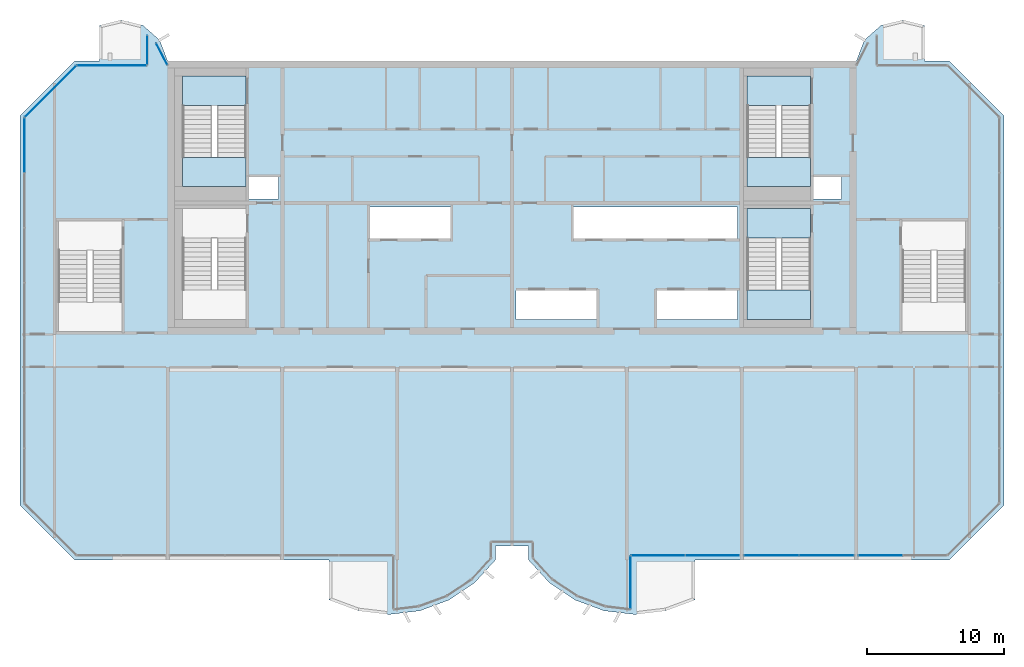
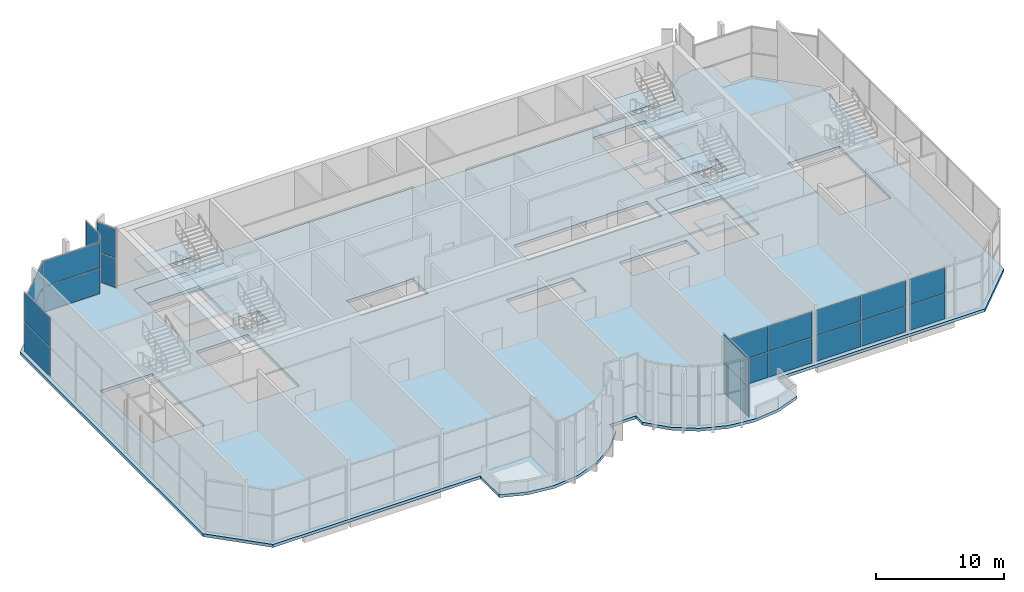
# One storey, part 11 of 17: 22 plates, 12 slabs, 12 elements without a shape of their own.
"""IFC4 building model written with IfcOpenShell, lengths in metres."""

from ifc_helpers import new_model, si_unit, direction, frame, origin, origin_2d, place, context, subcontext, project, spatial, polyline, rectangle, outline, extrude, source, transform, mapped, material, layer, layer_set, type_object, element, aggregate, save


model = new_model("IFC4")

# Units and contexts
model_context = context("Model", 3, precision=1e-05, world=origin(), true_north=direction((0.0, 1.0)))
body_context = subcontext(model_context, "Body", "Model", "MODEL_VIEW")
ifc_project = project(units=[si_unit("LENGTHUNIT", "METRE"), si_unit("AREAUNIT", "SQUARE_METRE"), si_unit("VOLUMEUNIT", "CUBIC_METRE"), si_unit("PLANEANGLEUNIT", "RADIAN"), si_unit("MASSUNIT", "GRAM", prefix="KILO")], contexts=[model_context])

# Site, building, storey
site_placement = place(None, origin())
site = spatial("IfcSite", under=ifc_project, at=site_placement, CompositionType="ELEMENT")
building_placement = place(site_placement, origin())
building = spatial("IfcBuilding", under=site, at=building_placement, Name="Vanashikhar Sky Hotel", CompositionType="ELEMENT")
storey_placement = place(building_placement, frame((0.0, 0.0, 323.699951171875)))
storey = spatial("IfcBuildingStorey", under=building, at=storey_placement, Name="L77", CompositionType="ELEMENT", Elevation=323.699951171875)

# Slab
ifc_material_1 = material(Name="Concrete M40", Category="concrete")
ifc_layer_1 = layer(ifc_material_1, 0.280029296875)
ifc_layer_set_1 = layer_set([ifc_layer_1], Name="Floor slab 280 mm")
slab_type_1 = type_object("IfcSlabType", Name="Floor slab 280 mm", PredefinedType="FLOOR", material=ifc_layer_set_1)
shared_shape_1 = source(origin(), body_context, "Body", "SweptSolid", [
    extrude(outline(polyline([(14.39990234375, 9.5), (14.39990234375, 9.5), (14.39990234375, 38.0), (14.39990234375, 38.0), (14.400146484375, 38.0), (18.39990234375, 42.0), (18.39990234375, 42.0), (18.400146484375, 42.0), (20.2109375, 42.0), (20.211181640625, 42.0), (20.211669921875, 42.0), (20.2119140625, 42.0), (20.212158203125, 42.000244140625), (20.21240234375, 42.00048828125), (20.212646484375, 42.00048828125), (20.212890625, 42.000732421875), (20.213134765625, 42.0009765625), (20.21337890625, 42.001220703125), (20.21337890625, 42.001220703125), (20.213623046875, 42.001708984375), (20.2138671875, 42.001953125), (20.2138671875, 42.002197265625), (20.2138671875, 42.00244140625), (20.214111328125, 42.002685546875), (20.214111328125, 42.0029296875), (20.214111328125, 44.60791015625), (20.214111328125, 44.60791015625), (20.214111328125, 44.60791015625), (21.7998046875, 44.998046875), (21.800048828125, 44.998046875), (21.800048828125, 44.998046875), (23.384521484375, 44.6083984375), (23.385009765625, 44.6083984375), (23.385009765625, 44.6083984375), (23.385498046875, 44.6083984375), (23.3857421875, 44.6083984375), (23.385986328125, 44.6083984375), (23.38623046875, 44.6083984375), (23.38671875, 44.608642578125), (23.38671875, 44.608642578125), (23.38720703125, 44.60888671875), (23.38720703125, 44.60888671875), (23.387451171875, 44.609130859375), (23.3876953125, 44.609619140625), (23.3876953125, 44.609619140625), (23.387939453125, 44.610107421875), (23.387939453125, 44.610107421875), (23.38818359375, 44.610107421875), (24.614990234375, 43.527099609375), (24.614990234375, 43.527099609375), (24.614990234375, 43.52685546875), (25.19921875, 42.001953125), (25.199462890625, 42.001708984375), (25.199462890625, 42.00146484375), (25.19970703125, 42.001220703125), (25.199951171875, 42.0009765625), (25.2001953125, 42.000732421875), (25.200439453125, 42.00048828125), (25.20068359375, 42.00048828125), (25.200927734375, 42.000244140625), (25.201171875, 42.0), (25.201416015625, 42.0), (25.201904296875, 42.0), (25.2021484375, 42.0), (75.597900390625, 42.0), (75.59814453125, 42.0), (75.598388671875, 42.0), (75.598876953125, 42.0), (75.59912109375, 42.000244140625), (75.599365234375, 42.00048828125), (75.599609375, 42.00048828125), (75.599853515625, 42.000732421875), (75.60009765625, 42.0009765625), (75.600341796875, 42.001220703125), (75.6005859375, 42.00146484375), (75.6005859375, 42.001708984375), (75.6005859375, 42.001953125), (76.18505859375, 43.52685546875), (76.18505859375, 43.527099609375), (76.18505859375, 43.527099609375), (77.411865234375, 44.610107421875), (77.412109375, 44.610107421875), (77.412109375, 44.610107421875), (77.412109375, 44.609619140625), (77.412353515625, 44.609619140625), (77.41259765625, 44.609130859375), (77.41259765625, 44.60888671875), (77.412841796875, 44.60888671875), (77.4130859375, 44.608642578125), (77.413330078125, 44.608642578125), (77.413818359375, 44.6083984375), (77.4140625, 44.6083984375), (77.414306640625, 44.6083984375), (77.41455078125, 44.6083984375), (77.414794921875, 44.6083984375), (77.4150390625, 44.6083984375), (77.415283203125, 44.6083984375), (79.0, 44.998046875), (79.0, 44.998046875), (79.0, 44.998046875), (80.5859375, 44.60791015625), (80.5859375, 44.60791015625), (80.5859375, 44.60791015625), (80.5859375, 42.0029296875), (80.5859375, 42.002685546875), (80.586181640625, 42.00244140625), (80.586181640625, 42.002197265625), (80.586181640625, 42.001953125), (80.58642578125, 42.001708984375), (80.58642578125, 42.001220703125), (80.586669921875, 42.001220703125), (80.5869140625, 42.0009765625), (80.587158203125, 42.000732421875), (80.58740234375, 42.00048828125), (80.587646484375, 42.00048828125), (80.587890625, 42.000244140625), (80.588134765625, 42.0), (80.58837890625, 42.0), (80.588623046875, 42.0), (80.589111328125, 42.0), (82.39990234375, 42.0), (82.39990234375, 42.0), (82.400146484375, 42.0), (86.39990234375, 38.0), (86.39990234375, 38.0), (86.39990234375, 38.0), (86.39990234375, 9.5), (86.39990234375, 9.5), (86.39990234375, 9.5), (82.400146484375, 5.5), (82.39990234375, 5.5), (82.39990234375, 5.5), (63.783935546875, 5.5), (63.78369140625, 5.5), (63.783447265625, 5.5), (63.783203125, 5.5), (63.782958984375, 5.499755859375), (63.78271484375, 5.49951171875), (63.7822265625, 5.49951171875), (63.781982421875, 5.499267578125), (63.781982421875, 5.4990234375), (63.78173828125, 5.498779296875), (63.781494140625, 5.498779296875), (63.781494140625, 5.498291015625), (63.78125, 5.498046875), (63.781005859375, 5.497802734375), (63.781005859375, 5.49755859375), (63.781005859375, 5.497314453125), (63.781005859375, 5.4970703125), (63.781005859375, 2.55908203125), (63.781005859375, 2.55908203125), (63.781005859375, 2.55908203125), (61.654052734375, 1.77001953125), (61.654052734375, 1.77001953125), (61.65380859375, 1.77001953125), (59.402587890625, 1.502197265625), (59.402099609375, 1.501953125), (59.40185546875, 1.501953125), (59.401611328125, 1.501708984375), (59.4013671875, 1.501708984375), (59.401123046875, 1.50146484375), (59.40087890625, 1.501220703125), (59.400634765625, 1.501220703125), (59.400390625, 1.5009765625), (59.400390625, 1.50048828125), (59.400146484375, 1.50048828125), (59.39990234375, 1.5), (59.39990234375, 1.5), (59.39990234375, 1.5), (57.14599609375, 1.76806640625), (57.14599609375, 1.76806640625), (57.14599609375, 1.76806640625), (55.01708984375, 2.55810546875), (55.01708984375, 2.55810546875), (55.016845703125, 2.55810546875), (53.133056640625, 3.825927734375), (53.133056640625, 3.825927734375), (53.1328125, 3.826171875), (51.60009765625, 5.5), (51.60009765625, 5.5), (51.60009765625, 5.5), (51.60009765625, 6.4970703125), (51.60009765625, 6.497314453125), (51.599853515625, 6.49755859375), (51.599853515625, 6.497802734375), (51.599853515625, 6.498046875), (51.599609375, 6.498291015625), (51.599609375, 6.498779296875), (51.599365234375, 6.498779296875), (51.59912109375, 6.4990234375), (51.598876953125, 6.499267578125), (51.5986328125, 6.49951171875), (51.598388671875, 6.49951171875), (51.59814453125, 6.499755859375), (51.597900390625, 6.5), (51.59765625, 6.5), (51.597412109375, 6.5), (51.596923828125, 6.5), (49.202880859375, 6.5), (49.20263671875, 6.5), (49.202392578125, 6.5), (49.2021484375, 6.5), (49.201904296875, 6.499755859375), (49.20166015625, 6.49951171875), (49.201416015625, 6.49951171875), (49.201171875, 6.499267578125), (49.200927734375, 6.4990234375), (49.20068359375, 6.498779296875), (49.200439453125, 6.498779296875), (49.200439453125, 6.498291015625), (49.2001953125, 6.498046875), (49.2001953125, 6.497802734375), (49.2001953125, 6.49755859375), (49.199951171875, 6.497314453125), (49.199951171875, 6.4970703125), (49.199951171875, 5.5), (49.199951171875, 5.5), (49.199951171875, 5.5), (47.6669921875, 3.826171875), (47.6669921875, 3.825927734375), (47.6669921875, 3.825927734375), (45.783203125, 2.55810546875), (45.782958984375, 2.55810546875), (45.782958984375, 2.55810546875), (43.654052734375, 1.76806640625), (43.654052734375, 1.76806640625), (43.65380859375, 1.76806640625), (41.400146484375, 1.5), (41.39990234375, 1.5), (41.39990234375, 1.5), (41.39990234375, 1.50048828125), (41.399658203125, 1.50048828125), (41.3994140625, 1.5009765625), (41.3994140625, 1.501220703125), (41.399169921875, 1.501220703125), (41.39892578125, 1.50146484375), (41.398681640625, 1.501708984375), (41.3984375, 1.501708984375), (41.398193359375, 1.501953125), (41.397705078125, 1.501953125), (41.3974609375, 1.502197265625), (39.14599609375, 1.77001953125), (39.14599609375, 1.77001953125), (39.14599609375, 1.77001953125), (37.01904296875, 2.55908203125), (37.01904296875, 2.55908203125), (37.01904296875, 2.55908203125), (37.01904296875, 5.4970703125), (37.01904296875, 5.497314453125), (37.018798828125, 5.49755859375), (37.018798828125, 5.497802734375), (37.018798828125, 5.498046875), (37.0185546875, 5.498291015625), (37.0185546875, 5.498779296875), (37.018310546875, 5.498779296875), (37.01806640625, 5.4990234375), (37.017822265625, 5.499267578125), (37.017578125, 5.49951171875), (37.017333984375, 5.49951171875), (37.01708984375, 5.499755859375), (37.016845703125, 5.5), (37.0166015625, 5.5), (37.016357421875, 5.5), (37.01611328125, 5.5), (18.400146484375, 5.5), (18.39990234375, 5.5), (18.39990234375, 5.5), (14.400146484375, 9.5), (14.39990234375, 9.5)]), holes=[polyline([(33.300048828125, 33.60009765625), (31.050048828125, 33.60009765625), (31.050048828125, 31.89990234375), (33.300048828125, 31.89990234375), (33.300048828125, 33.60009765625)]), polyline([(39.89990234375, 31.300048828125), (39.89990234375, 29.0), (45.89990234375, 29.0), (45.89990234375, 31.300048828125), (39.89990234375, 31.300048828125)]), polyline([(50.699951171875, 25.199951171875), (50.699951171875, 23.10009765625), (56.699951171875, 23.10009765625), (56.699951171875, 25.199951171875), (50.699951171875, 25.199951171875)]), polyline([(66.89990234375, 29.0), (66.89990234375, 31.300048828125), (54.89990234375, 31.300048828125), (54.89990234375, 29.0), (66.89990234375, 29.0)]), polyline([(60.89990234375, 25.199951171875), (60.89990234375, 23.10009765625), (66.89990234375, 23.10009765625), (66.89990234375, 25.199951171875), (60.89990234375, 25.199951171875)]), polyline([(74.5, 33.60009765625), (72.35009765625, 33.60009765625), (72.35009765625, 31.89990234375), (74.5, 31.89990234375), (74.5, 33.60009765625)]), polyline([(30.949951171875, 23.10009765625), (30.949951171875, 31.199951171875), (26.300048828125, 31.199951171875), (26.300048828125, 23.10009765625), (30.949951171875, 23.10009765625)]), polyline([(72.25, 23.10009765625), (72.25, 31.199951171875), (67.60009765625, 31.199951171875), (67.60009765625, 23.10009765625), (72.25, 23.10009765625)]), polyline([(30.949951171875, 32.800048828125), (30.949951171875, 40.89990234375), (26.300048828125, 40.89990234375), (26.300048828125, 32.800048828125), (30.949951171875, 32.800048828125)]), polyline([(72.25, 32.800048828125), (72.25, 40.89990234375), (67.60009765625, 40.89990234375), (67.60009765625, 32.800048828125), (72.25, 32.800048828125)]), polyline([(83.60009765625, 22.199951171875), (83.60009765625, 30.300048828125), (78.949951171875, 30.300048828125), (78.949951171875, 22.199951171875), (83.60009765625, 22.199951171875)]), polyline([(21.85009765625, 22.199951171875), (21.85009765625, 30.300048828125), (17.199951171875, 30.300048828125), (17.199951171875, 22.199951171875), (21.85009765625, 22.199951171875)])]), origin(), (0.0, 0.0, 1.0), 0.280029296875),
])
slab_1_placement = place(storey_placement, frame((0.0, 0.0, -0.280029296875)))
element("IfcSlab", 1, at=slab_1_placement, inside=storey, type_object=slab_type_1, Name="Floor slab L77", PredefinedType="FLOOR", context=body_context, shape_type="MappedRepresentation", body=[
    mapped(shared_shape_1, transform((0.0, 0.0, 0.0), scale=1.0)),
])

# Curtain wall, plates
ifc_material_2 = material(Name="Glass", Category="glass")
curtain_wall_type = type_object("IfcCurtainWallType", Name="Sky restaurant glazing", PredefinedType="NOTDEFINED", material=ifc_material_2)
curtain_wall_1_placement = place(storey_placement, origin())
curtain_wall_1 = element("IfcCurtainWall", 2, at=curtain_wall_1_placement, inside=storey, type_object=curtain_wall_type, Name="Sky restaurant glazing", PredefinedType="NOTDEFINED")
ifc_layer_2 = layer(ifc_material_2, 0.028076171875)
ifc_layer_set_2 = layer_set([ifc_layer_2], Name="Sky restaurant glazing panel")
plate_type = type_object("IfcPlateType", Name="Sky restaurant glazing panel", PredefinedType="CURTAIN_PANEL", material=ifc_layer_set_2)
shared_shape_2 = source(origin(), body_context, "Body", "SweptSolid", [
    extrude(rectangle(XDim=3.18017578125, YDim=0.028076171875, at=origin_2d()), origin(), (0.0, 0.0, 1.0), 2.39501953125),
])
plate_1_placement = place(storey_placement, frame((77.375, 5.824951171875, 0.06005859375), z_axis=(0.0, 0.0, 1.0), x_axis=(1.0, 0.0, 0.0)))
plate_1 = element("IfcPlate", 3, at=plate_1_placement, type_object=plate_type, Name="CW-5 panel 1.1", PredefinedType="CURTAIN_PANEL", context=body_context, shape_type="MappedRepresentation", body=[
    mapped(shared_shape_2, transform((0.0, 0.0, 0.0), scale=1.0)),
])
plate_2_placement = place(storey_placement, frame((77.375, 5.824951171875, 2.51513671875), z_axis=(0.0, 0.0, 1.0), x_axis=(1.0, 0.0, 0.0)))
plate_2 = element("IfcPlate", 4, at=plate_2_placement, type_object=plate_type, Name="CW-5 panel 1.2", PredefinedType="CURTAIN_PANEL", context=body_context, shape_type="MappedRepresentation", body=[
    mapped(shared_shape_2, transform((0.0, 0.0, 0.0), scale=1.0)),
])
aggregate(curtain_wall_1, [plate_1, plate_2])

curtain_wall_2_placement = place(storey_placement, origin())
curtain_wall_2 = element("IfcCurtainWall", 5, at=curtain_wall_2_placement, inside=storey, type_object=curtain_wall_type, Name="Sky restaurant glazing", PredefinedType="NOTDEFINED")
shared_shape_3 = source(origin(), body_context, "Body", "SweptSolid", [
    extrude(rectangle(XDim=3.985107421875, YDim=0.028076171875, at=origin_2d()), origin(), (0.0, 0.0, 1.0), 2.39501953125),
])
plate_3_placement = place(storey_placement, frame((69.37744140625, 5.824951171875, 0.06005859375), z_axis=(0.0, 0.0, 1.0), x_axis=(1.0, 0.0, 0.0)))
plate_3 = element("IfcPlate", 6, at=plate_3_placement, type_object=plate_type, Name="CW-5 panel 1.1", PredefinedType="CURTAIN_PANEL", context=body_context, shape_type="MappedRepresentation", body=[
    mapped(shared_shape_3, transform((0.0, 0.0, 0.0), scale=1.0)),
])
plate_4_placement = place(storey_placement, frame((69.37744140625, 5.824951171875, 2.51513671875), z_axis=(0.0, 0.0, 1.0), x_axis=(1.0, 0.0, 0.0)))
plate_4 = element("IfcPlate", 7, at=plate_4_placement, type_object=plate_type, Name="CW-5 panel 1.2", PredefinedType="CURTAIN_PANEL", context=body_context, shape_type="MappedRepresentation", body=[
    mapped(shared_shape_3, transform((0.0, 0.0, 0.0), scale=1.0)),
])
plate_5_placement = place(storey_placement, frame((73.422607421875, 5.824951171875, 0.06005859375), z_axis=(0.0, 0.0, 1.0), x_axis=(1.0, 0.0, 0.0)))
plate_5 = element("IfcPlate", 8, at=plate_5_placement, type_object=plate_type, Name="CW-5 panel 2.1", PredefinedType="CURTAIN_PANEL", context=body_context, shape_type="MappedRepresentation", body=[
    mapped(shared_shape_3, transform((0.0, 0.0, 0.0), scale=1.0)),
])
plate_6_placement = place(storey_placement, frame((73.422607421875, 5.824951171875, 2.51513671875), z_axis=(0.0, 0.0, 1.0), x_axis=(1.0, 0.0, 0.0)))
plate_6 = element("IfcPlate", 9, at=plate_6_placement, type_object=plate_type, Name="CW-5 panel 2.2", PredefinedType="CURTAIN_PANEL", context=body_context, shape_type="MappedRepresentation", body=[
    mapped(shared_shape_3, transform((0.0, 0.0, 0.0), scale=1.0)),
])
aggregate(curtain_wall_2, [plate_3, plate_4, plate_5, plate_6])

curtain_wall_3_placement = place(storey_placement, origin())
curtain_wall_3 = element("IfcCurtainWall", 10, at=curtain_wall_3_placement, inside=storey, type_object=curtain_wall_type, Name="Sky restaurant glazing", PredefinedType="NOTDEFINED")
shared_shape_4 = source(origin(), body_context, "Body", "SweptSolid", [
    extrude(rectangle(XDim=3.909912109375, YDim=0.028076171875, at=origin_2d()), origin(), (0.0, 0.0, 1.0), 2.39501953125),
])
plate_7_placement = place(storey_placement, frame((61.090087890625, 5.824951171875, 0.06005859375), z_axis=(0.0, 0.0, 1.0), x_axis=(1.0, 0.0, 0.0)))
plate_7 = element("IfcPlate", 11, at=plate_7_placement, type_object=plate_type, Name="CW-5 panel 1.1", PredefinedType="CURTAIN_PANEL", context=body_context, shape_type="MappedRepresentation", body=[
    mapped(shared_shape_4, transform((0.0, 0.0, 0.0), scale=1.0)),
])
plate_8_placement = place(storey_placement, frame((61.090087890625, 5.824951171875, 2.51513671875), z_axis=(0.0, 0.0, 1.0), x_axis=(1.0, 0.0, 0.0)))
plate_8 = element("IfcPlate", 12, at=plate_8_placement, type_object=plate_type, Name="CW-5 panel 1.2", PredefinedType="CURTAIN_PANEL", context=body_context, shape_type="MappedRepresentation", body=[
    mapped(shared_shape_4, transform((0.0, 0.0, 0.0), scale=1.0)),
])
plate_9_placement = place(storey_placement, frame((65.06005859375, 5.824951171875, 0.06005859375), z_axis=(0.0, 0.0, 1.0), x_axis=(1.0, 0.0, 0.0)))
plate_9 = element("IfcPlate", 13, at=plate_9_placement, type_object=plate_type, Name="CW-5 panel 2.1", PredefinedType="CURTAIN_PANEL", context=body_context, shape_type="MappedRepresentation", body=[
    mapped(shared_shape_4, transform((0.0, 0.0, 0.0), scale=1.0)),
])
plate_10_placement = place(storey_placement, frame((65.06005859375, 5.824951171875, 2.51513671875), z_axis=(0.0, 0.0, 1.0), x_axis=(1.0, 0.0, 0.0)))
plate_10 = element("IfcPlate", 14, at=plate_10_placement, type_object=plate_type, Name="CW-5 panel 2.2", PredefinedType="CURTAIN_PANEL", context=body_context, shape_type="MappedRepresentation", body=[
    mapped(shared_shape_4, transform((0.0, 0.0, 0.0), scale=1.0)),
])
aggregate(curtain_wall_3, [plate_7, plate_8, plate_9, plate_10])

curtain_wall_4_placement = place(storey_placement, origin())
curtain_wall_4 = element("IfcCurtainWall", 15, at=curtain_wall_4_placement, inside=storey, type_object=curtain_wall_type, Name="Sky restaurant glazing", PredefinedType="NOTDEFINED")
shared_shape_5 = source(origin(), body_context, "Body", "SweptSolid", [
    extrude(rectangle(XDim=3.839111328125, YDim=0.028076171875, at=origin_2d()), origin(), (0.0, 0.0, 1.0), 2.77001953125),
])
plate_11_placement = place(storey_placement, frame((59.074951171875, 3.845458984375, 0.06005859375), z_axis=(0.0, 0.0, 1.0), x_axis=(0.0, 1.0, 0.0)))
plate_11 = element("IfcPlate", 16, at=plate_11_placement, type_object=plate_type, Name="CW-5 panel 1.1", PredefinedType="CURTAIN_PANEL", context=body_context, shape_type="MappedRepresentation", body=[
    mapped(shared_shape_5, transform((0.0, 0.0, 0.0), scale=1.0)),
])
plate_12_placement = place(storey_placement, frame((59.074951171875, 3.845458984375, 2.89013671875), z_axis=(0.0, 0.0, 1.0), x_axis=(0.0, 1.0, 0.0)))
plate_12 = element("IfcPlate", 17, at=plate_12_placement, type_object=plate_type, Name="CW-5 panel 1.2", PredefinedType="CURTAIN_PANEL", context=body_context, shape_type="MappedRepresentation", body=[
    mapped(shared_shape_5, transform((0.0, 0.0, 0.0), scale=1.0)),
])
aggregate(curtain_wall_4, [plate_11, plate_12])

curtain_wall_5_placement = place(storey_placement, origin())
curtain_wall_5 = element("IfcCurtainWall", 18, at=curtain_wall_5_placement, inside=storey, type_object=curtain_wall_type, Name="Sky restaurant glazing", PredefinedType="NOTDEFINED")
shared_shape_6 = source(origin(), body_context, "Body", "SweptSolid", [
    extrude(rectangle(XDim=5.267578125, YDim=0.028076171875, at=origin_2d()), origin(), (0.0, 0.0, 1.0), 2.39501953125),
])
plate_13_placement = place(storey_placement, frame((16.6298828125, 39.770263671875, 0.06005859375), z_axis=(0.0, 0.0, 1.0), x_axis=(-0.707106781187, -0.707106781187, 0.0)))
plate_13 = element("IfcPlate", 19, at=plate_13_placement, type_object=plate_type, Name="CW-5 panel 1.1", PredefinedType="CURTAIN_PANEL", context=body_context, shape_type="MappedRepresentation", body=[
    mapped(shared_shape_6, transform((0.0, 0.0, 0.0), scale=1.0)),
])
plate_14_placement = place(storey_placement, frame((16.6298828125, 39.770263671875, 2.51513671875), z_axis=(0.0, 0.0, 1.0), x_axis=(-0.707106781187, -0.707106781187, 0.0)))
plate_14 = element("IfcPlate", 20, at=plate_14_placement, type_object=plate_type, Name="CW-5 panel 1.2", PredefinedType="CURTAIN_PANEL", context=body_context, shape_type="MappedRepresentation", body=[
    mapped(shared_shape_6, transform((0.0, 0.0, 0.0), scale=1.0)),
])
aggregate(curtain_wall_5, [plate_13, plate_14])

curtain_wall_6_placement = place(storey_placement, origin())
curtain_wall_6 = element("IfcCurtainWall", 21, at=curtain_wall_6_placement, inside=storey, type_object=curtain_wall_type, Name="Sky restaurant glazing", PredefinedType="NOTDEFINED")
shared_shape_7 = source(origin(), body_context, "Body", "SweptSolid", [
    extrude(rectangle(XDim=3.94287109375, YDim=0.028076171875, at=origin_2d()), origin(), (0.0, 0.0, 1.0), 2.77001953125),
])
plate_15_placement = place(storey_placement, frame((14.72509765625, 35.833984375, 0.06005859375), z_axis=(0.0, 0.0, 1.0), x_axis=(0.0, -1.0, 0.0)))
plate_15 = element("IfcPlate", 22, at=plate_15_placement, type_object=plate_type, Name="CW-5 panel 1.1", PredefinedType="CURTAIN_PANEL", context=body_context, shape_type="MappedRepresentation", body=[
    mapped(shared_shape_7, transform((0.0, 0.0, 0.0), scale=1.0)),
])
plate_16_placement = place(storey_placement, frame((14.72509765625, 35.833984375, 2.89013671875), z_axis=(0.0, 0.0, 1.0), x_axis=(0.0, -1.0, 0.0)))
plate_16 = element("IfcPlate", 23, at=plate_16_placement, type_object=plate_type, Name="CW-5 panel 1.2", PredefinedType="CURTAIN_PANEL", context=body_context, shape_type="MappedRepresentation", body=[
    mapped(shared_shape_7, transform((0.0, 0.0, 0.0), scale=1.0)),
])
aggregate(curtain_wall_6, [plate_15, plate_16])

curtain_wall_7_placement = place(storey_placement, origin())
curtain_wall_7 = element("IfcCurtainWall", 24, at=curtain_wall_7_placement, inside=storey, type_object=curtain_wall_type, Name="Sky restaurant glazing", PredefinedType="NOTDEFINED")
shared_shape_8 = source(origin(), body_context, "Body", "SweptSolid", [
    extrude(rectangle(XDim=5.058349609375, YDim=0.028076171875, at=origin_2d()), origin(), (0.0, 0.0, 1.0), 2.39501953125),
])
plate_17_placement = place(storey_placement, frame((21.123779296875, 41.675048828125, 0.06005859375), z_axis=(0.0, 0.0, 1.0), x_axis=(-1.0, 0.0, 0.0)))
plate_17 = element("IfcPlate", 25, at=plate_17_placement, type_object=plate_type, Name="CW-5 panel 1.1", PredefinedType="CURTAIN_PANEL", context=body_context, shape_type="MappedRepresentation", body=[
    mapped(shared_shape_8, transform((0.0, 0.0, 0.0), scale=1.0)),
])
plate_18_placement = place(storey_placement, frame((21.123779296875, 41.675048828125, 2.51513671875), z_axis=(0.0, 0.0, 1.0), x_axis=(-1.0, 0.0, 0.0)))
plate_18 = element("IfcPlate", 26, at=plate_18_placement, type_object=plate_type, Name="CW-5 panel 1.2", PredefinedType="CURTAIN_PANEL", context=body_context, shape_type="MappedRepresentation", body=[
    mapped(shared_shape_8, transform((0.0, 0.0, 0.0), scale=1.0)),
])
aggregate(curtain_wall_7, [plate_17, plate_18])

curtain_wall_8_placement = place(storey_placement, origin())
curtain_wall_8 = element("IfcCurtainWall", 27, at=curtain_wall_8_placement, inside=storey, type_object=curtain_wall_type, Name="Sky restaurant glazing", PredefinedType="NOTDEFINED")
shared_shape_9 = source(origin(), body_context, "Body", "SweptSolid", [
    extrude(rectangle(XDim=2.0947265625, YDim=0.028076171875, at=origin_2d()), origin(), (0.0, 0.0, 1.0), 2.77001953125),
])
plate_19_placement = place(storey_placement, frame((23.712890625, 42.782470703125, 0.06005859375), z_axis=(0.0, 0.0, 1.0), x_axis=(0.0, -1.0, 0.0)))
plate_19 = element("IfcPlate", 28, at=plate_19_placement, type_object=plate_type, Name="CW-5 panel 1.1", PredefinedType="CURTAIN_PANEL", context=body_context, shape_type="MappedRepresentation", body=[
    mapped(shared_shape_9, transform((0.0, 0.0, 0.0), scale=1.0)),
])
plate_20_placement = place(storey_placement, frame((23.712890625, 42.782470703125, 2.89013671875), z_axis=(0.0, 0.0, 1.0), x_axis=(0.0, -1.0, 0.0)))
plate_20 = element("IfcPlate", 29, at=plate_20_placement, type_object=plate_type, Name="CW-5 panel 1.2", PredefinedType="CURTAIN_PANEL", context=body_context, shape_type="MappedRepresentation", body=[
    mapped(shared_shape_9, transform((0.0, 0.0, 0.0), scale=1.0)),
])
aggregate(curtain_wall_8, [plate_19, plate_20])

curtain_wall_9_placement = place(storey_placement, origin())
curtain_wall_9 = element("IfcCurtainWall", 30, at=curtain_wall_9_placement, inside=storey, type_object=curtain_wall_type, Name="Sky restaurant glazing", PredefinedType="NOTDEFINED")
shared_shape_10 = source(origin(), body_context, "Body", "SweptSolid", [
    extrude(rectangle(XDim=1.75048828125, YDim=0.028076171875, at=origin_2d()), origin(), (0.0, 0.0, 1.0), 2.77001953125),
])
plate_21_placement = place(storey_placement, frame((24.77001953125, 42.505615234375, 0.06005859375), z_axis=(0.0, 0.0, 1.0), x_axis=(-0.459700676655, 0.888073920281, 0.0)))
plate_21 = element("IfcPlate", 31, at=plate_21_placement, type_object=plate_type, Name="CW-5 panel 1.1", PredefinedType="CURTAIN_PANEL", context=body_context, shape_type="MappedRepresentation", body=[
    mapped(shared_shape_10, transform((0.0, 0.0, 0.0), scale=1.0)),
])
plate_22_placement = place(storey_placement, frame((24.77001953125, 42.505615234375, 2.89013671875), z_axis=(0.0, 0.0, 1.0), x_axis=(-0.459700676655, 0.888073920281, 0.0)))
plate_22 = element("IfcPlate", 32, at=plate_22_placement, type_object=plate_type, Name="CW-5 panel 1.2", PredefinedType="CURTAIN_PANEL", context=body_context, shape_type="MappedRepresentation", body=[
    mapped(shared_shape_10, transform((0.0, 0.0, 0.0), scale=1.0)),
])
aggregate(curtain_wall_9, [plate_21, plate_22])

# Stair, slabs
stair_type = type_object("IfcStairType", Name="Exit stair 2150", PredefinedType="DOUBLE_RETURN_STAIR", material=ifc_material_1)
stair_1_placement = place(storey_placement, origin())
stair_1 = element("IfcStair", 33, at=stair_1_placement, inside=storey, type_object=stair_type, Name="L77 Exit stair 2", PredefinedType="DOUBLE_RETURN_STAIR")
ifc_layer_3 = layer(ifc_material_1, 0.199951171875)
ifc_layer_set_3 = layer_set([ifc_layer_3], Name="Stair landing 200")
slab_type_2 = type_object("IfcSlabType", Name="Stair landing 200", PredefinedType="LANDING", material=ifc_layer_set_3)
shared_shape_11 = source(origin(), body_context, "Body", "SweptSolid", [
    extrude(outline(polyline([(72.25, 29.050048828125), (72.25, 31.199951171875), (67.60009765625, 31.199951171875), (67.60009765625, 29.050048828125), (72.25, 29.050048828125)])), origin(), (0.0, 0.0, 1.0), 0.199951171875),
])
slab_2_placement = place(storey_placement, frame((0.0, 0.0, 2.800048828125)))
slab_2 = element("IfcSlab", 34, at=slab_2_placement, type_object=slab_type_2, Name="ST-C2 landing 2", PredefinedType="LANDING", context=body_context, shape_type="MappedRepresentation", body=[
    mapped(shared_shape_11, transform((0.0, 0.0, 0.0), scale=1.0)),
])
shared_shape_12 = source(origin(), body_context, "Body", "SweptSolid", [
    extrude(outline(polyline([(72.25, 23.10009765625), (72.25, 25.25), (67.60009765625, 25.25), (67.60009765625, 23.10009765625), (72.25, 23.10009765625)])), origin(), (0.0, 0.0, 1.0), 0.199951171875),
])
slab_3_placement = place(storey_placement, frame((0.0, 0.0, 1.300048828125)))
slab_3 = element("IfcSlab", 35, at=slab_3_placement, type_object=slab_type_2, Name="ST-C2 landing 1", PredefinedType="LANDING", context=body_context, shape_type="MappedRepresentation", body=[
    mapped(shared_shape_12, transform((0.0, 0.0, 0.0), scale=1.0)),
])
slab_4_placement = place(storey_placement, frame((0.0, 0.0, 4.300048828125)))
slab_4 = element("IfcSlab", 36, at=slab_4_placement, type_object=slab_type_2, Name="ST-C2 landing 3", PredefinedType="LANDING", context=body_context, shape_type="MappedRepresentation", body=[
    mapped(shared_shape_12, transform((0.0, 0.0, 0.0), scale=1.0)),
])
aggregate(stair_1, [slab_3, slab_2, slab_4])

# Slab
ifc_layer_4 = layer(ifc_material_1, 0.280029296875)
ifc_layer_set_4 = layer_set([ifc_layer_4], Name="Stair floor landing 280")
slab_type_3 = type_object("IfcSlabType", Name="Stair floor landing 280", PredefinedType="LANDING", material=ifc_layer_set_4)
shared_shape_13 = source(origin(), body_context, "Body", "SweptSolid", [
    extrude(outline(polyline([(72.25, 29.050048828125), (72.25, 31.199951171875), (67.60009765625, 31.199951171875), (67.60009765625, 29.050048828125), (72.25, 29.050048828125)])), origin(), (0.0, 0.0, 1.0), 0.280029296875),
])
slab_5_placement = place(storey_placement, frame((0.0, 0.0, -0.280029296875)))
element("IfcSlab", 37, at=slab_5_placement, inside=storey, type_object=slab_type_3, Name="Exit stair 2 floor landing", PredefinedType="LANDING", context=body_context, shape_type="MappedRepresentation", body=[
    mapped(shared_shape_13, transform((0.0, 0.0, 0.0), scale=1.0)),
])

# Stair, slabs
stair_2_placement = place(storey_placement, origin())
stair_2 = element("IfcStair", 38, at=stair_2_placement, inside=storey, type_object=stair_type, Name="L77 Exit stair 5", PredefinedType="DOUBLE_RETURN_STAIR")
shared_shape_14 = source(origin(), body_context, "Body", "SweptSolid", [
    extrude(outline(polyline([(30.949951171875, 38.75), (30.949951171875, 40.89990234375), (26.300048828125, 40.89990234375), (26.300048828125, 38.75), (30.949951171875, 38.75)])), origin(), (0.0, 0.0, 1.0), 0.199951171875),
])
slab_6_placement = place(storey_placement, frame((0.0, 0.0, 2.800048828125)))
slab_6 = element("IfcSlab", 39, at=slab_6_placement, type_object=slab_type_2, Name="ST-C3 landing 2", PredefinedType="LANDING", context=body_context, shape_type="MappedRepresentation", body=[
    mapped(shared_shape_14, transform((0.0, 0.0, 0.0), scale=1.0)),
])
shared_shape_15 = source(origin(), body_context, "Body", "SweptSolid", [
    extrude(outline(polyline([(30.949951171875, 32.800048828125), (30.949951171875, 34.949951171875), (26.300048828125, 34.949951171875), (26.300048828125, 32.800048828125), (30.949951171875, 32.800048828125)])), origin(), (0.0, 0.0, 1.0), 0.199951171875),
])
slab_7_placement = place(storey_placement, frame((0.0, 0.0, 1.300048828125)))
slab_7 = element("IfcSlab", 40, at=slab_7_placement, type_object=slab_type_2, Name="ST-C3 landing 1", PredefinedType="LANDING", context=body_context, shape_type="MappedRepresentation", body=[
    mapped(shared_shape_15, transform((0.0, 0.0, 0.0), scale=1.0)),
])
slab_8_placement = place(storey_placement, frame((0.0, 0.0, 4.300048828125)))
slab_8 = element("IfcSlab", 41, at=slab_8_placement, type_object=slab_type_2, Name="ST-C3 landing 3", PredefinedType="LANDING", context=body_context, shape_type="MappedRepresentation", body=[
    mapped(shared_shape_15, transform((0.0, 0.0, 0.0), scale=1.0)),
])
aggregate(stair_2, [slab_7, slab_6, slab_8])

# Slab
shared_shape_16 = source(origin(), body_context, "Body", "SweptSolid", [
    extrude(outline(polyline([(30.949951171875, 38.75), (30.949951171875, 40.89990234375), (26.300048828125, 40.89990234375), (26.300048828125, 38.75), (30.949951171875, 38.75)])), origin(), (0.0, 0.0, 1.0), 0.280029296875),
])
slab_9_placement = place(storey_placement, frame((0.0, 0.0, -0.280029296875)))
element("IfcSlab", 42, at=slab_9_placement, inside=storey, type_object=slab_type_3, Name="Exit stair 5 floor landing", PredefinedType="LANDING", context=body_context, shape_type="MappedRepresentation", body=[
    mapped(shared_shape_16, transform((0.0, 0.0, 0.0), scale=1.0)),
])

# Stair, slabs
stair_3_placement = place(storey_placement, origin())
stair_3 = element("IfcStair", 43, at=stair_3_placement, inside=storey, type_object=stair_type, Name="L77 Exit stair 6", PredefinedType="DOUBLE_RETURN_STAIR")
shared_shape_17 = source(origin(), body_context, "Body", "SweptSolid", [
    extrude(outline(polyline([(72.25, 38.75), (72.25, 40.89990234375), (67.60009765625, 40.89990234375), (67.60009765625, 38.75), (72.25, 38.75)])), origin(), (0.0, 0.0, 1.0), 0.199951171875),
])
slab_10_placement = place(storey_placement, frame((0.0, 0.0, 2.800048828125)))
slab_10 = element("IfcSlab", 44, at=slab_10_placement, type_object=slab_type_2, Name="ST-C4 landing 2", PredefinedType="LANDING", context=body_context, shape_type="MappedRepresentation", body=[
    mapped(shared_shape_17, transform((0.0, 0.0, 0.0), scale=1.0)),
])
shared_shape_18 = source(origin(), body_context, "Body", "SweptSolid", [
    extrude(outline(polyline([(72.25, 32.800048828125), (72.25, 34.949951171875), (67.60009765625, 34.949951171875), (67.60009765625, 32.800048828125), (72.25, 32.800048828125)])), origin(), (0.0, 0.0, 1.0), 0.199951171875),
])
slab_11_placement = place(storey_placement, frame((0.0, 0.0, 1.300048828125)))
slab_11 = element("IfcSlab", 45, at=slab_11_placement, type_object=slab_type_2, Name="ST-C4 landing 1", PredefinedType="LANDING", context=body_context, shape_type="MappedRepresentation", body=[
    mapped(shared_shape_18, transform((0.0, 0.0, 0.0), scale=1.0)),
])
slab_12_placement = place(storey_placement, frame((0.0, 0.0, 4.300048828125)))
slab_12 = element("IfcSlab", 46, at=slab_12_placement, type_object=slab_type_2, Name="ST-C4 landing 3", PredefinedType="LANDING", context=body_context, shape_type="MappedRepresentation", body=[
    mapped(shared_shape_18, transform((0.0, 0.0, 0.0), scale=1.0)),
])
aggregate(stair_3, [slab_11, slab_10, slab_12])

save(model, "model.ifc")
